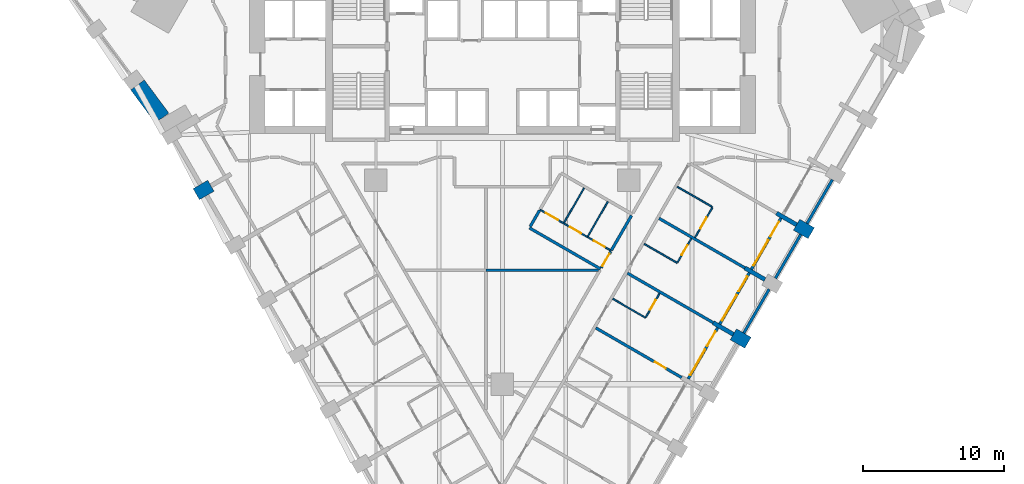
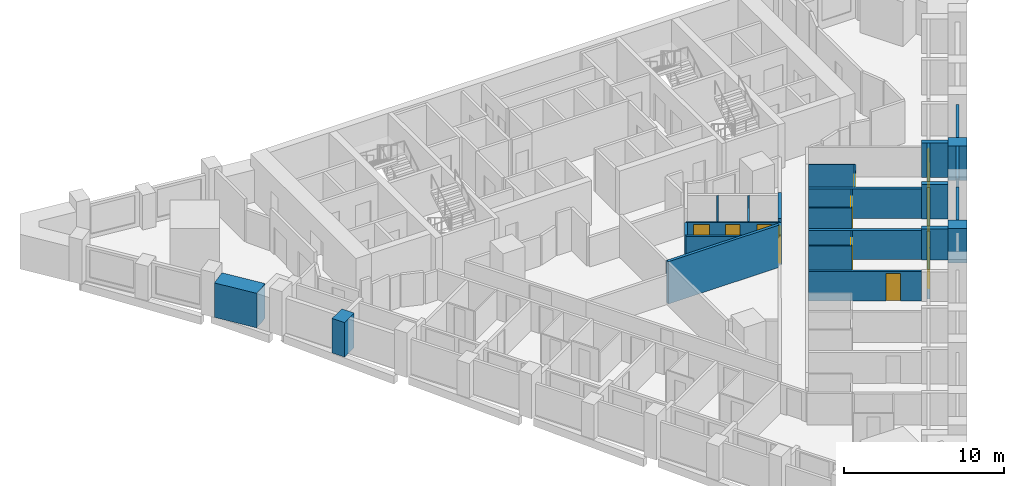
# One storey, part 6 of 12: 30 walls, 11 doors, 3 windows, 14 openings.
"""IFC4 building model written with IfcOpenShell, lengths in metres."""

import ifcopenshell
import ifcopenshell.guid

model = None  # the IFC model being written
_history = None  # IfcOwnerHistory: only IFC2X3 demands one
_inside = {}  # id of a spatial element -> (the spatial element, [elements in it])
_under = {}  # id of a project, library or spatial element -> (it, [spatial elements below it])
_declared = {}  # id of a project -> (the project, [libraries it declares])
_typed = {}  # id of a type object -> (the type object, [elements of that type])
_made_of = {}  # id of a material, layer set ... -> (it, [elements and type objects made of it])


def new_model(schema):
    """Start an empty IFC model of exactly this schema.

    Asked for "IFC4X3", IfcOpenShell would pick the latest addendum, in which some entities
    have other attributes; the version numbers below select the first issue.
    IFC2X3 requires an IfcOwnerHistory on every rooted entity: one is made here for all.
    """
    global model, _history
    if schema == "IFC4X3":
        model = ifcopenshell.file(schema_version=(4, 3, 0, 0))
    else:
        model = ifcopenshell.file(schema=schema)
    _inside.clear()
    _under.clear()
    _declared.clear()
    _typed.clear()
    _made_of.clear()
    _history = None
    if model.schema == "IFC2X3":
        org = make("IfcOrganization", Name="unknown")
        user = make(
            "IfcPersonAndOrganization",
            ThePerson=make("IfcPerson", FamilyName="unknown"),
            TheOrganization=org,
        )
        app = make(
            "IfcApplication",
            ApplicationDeveloper=org,
            Version="unknown",
            ApplicationFullName="unknown",
            ApplicationIdentifier="unknown",
        )
        _history = make(
            "IfcOwnerHistory",
            OwningUser=user,
            OwningApplication=app,
            ChangeAction="ADDED",
            CreationDate=0,
        )
    return model


def make(cls, **values):
    """One entity of the class cls with the attributes given. An attribute that is None is left unset."""
    return model.create_entity(
        cls, **{name: value for name, value in values.items() if value is not None}
    )


def rooted(cls, **values):
    """An entity with a GlobalId (a new one), such as an element, a storey or a relation."""
    return make(cls, GlobalId=ifcopenshell.guid.new(), OwnerHistory=_history, **values)


def si_unit(unit_type, name, prefix=None):
    """IfcSIUnit, for example si_unit("LENGTHUNIT", "METRE", prefix="MILLI")."""
    return make("IfcSIUnit", UnitType=unit_type, Prefix=prefix, Name=name)


def assignment(units):
    """IfcUnitAssignment: the units of a project."""
    return None if units is None else make("IfcUnitAssignment", Units=units)


def point(xyz):
    """IfcCartesianPoint."""
    return None if xyz is None else make("IfcCartesianPoint", Coordinates=xyz)


def direction(xyz):
    """IfcDirection."""
    return None if xyz is None else make("IfcDirection", DirectionRatios=xyz)


def frame(location, z_axis=None, x_axis=None):
    """IfcAxis2Placement3D, a coordinate frame: its origin and axes. An axis left out is left unset."""
    return make(
        "IfcAxis2Placement3D",
        Location=point(location),
        Axis=direction(z_axis),
        RefDirection=direction(x_axis),
    )


def frame_2d(location, x_axis=None):
    """IfcAxis2Placement2D, a coordinate frame in the plane: its origin and x axis."""
    return make(
        "IfcAxis2Placement2D", Location=point(location), RefDirection=direction(x_axis)
    )


def origin():
    """The frame at (0, 0, 0) with its axes left unset."""
    return frame((0.0, 0.0, 0.0))


def place(relative_to, where):
    """IfcLocalPlacement: puts the frame where relative to a parent placement (None: the world)."""
    return make(
        "IfcLocalPlacement", PlacementRelTo=relative_to, RelativePlacement=where
    )


def context(
    kind, dimensions, precision=None, world=None, true_north=None, identifier=None
):
    """IfcGeometricRepresentationContext, for example the 3D "Model" context."""
    return make(
        "IfcGeometricRepresentationContext",
        ContextIdentifier=identifier,
        ContextType=kind,
        CoordinateSpaceDimension=dimensions,
        Precision=precision,
        WorldCoordinateSystem=world,
        TrueNorth=true_north,
    )


def subcontext(parent, identifier, kind, view, scale=None):
    """IfcGeometricRepresentationSubContext, for example "Body" below "Model"."""
    return make(
        "IfcGeometricRepresentationSubContext",
        ContextIdentifier=identifier,
        ContextType=kind,
        ParentContext=parent,
        TargetScale=scale,
        TargetView=view,
    )


def project(units=None, contexts=None):
    """IfcProject with its units and contexts."""
    return rooted(
        "IfcProject",
        Name="project",
        RepresentationContexts=contexts,
        UnitsInContext=assignment(units),
    )


def spatial(cls, under=None, at=None, **own):
    """A site, building, storey or space (cls), placed at a placement, below another one or the project."""
    s = rooted(cls, ObjectPlacement=at, **own)
    if under is not None:
        _under.setdefault(under.id(), (under, []))[1].append(s)
    return s


def polyline(points):
    """IfcPolyline through the points."""
    return make("IfcPolyline", Points=[point(p) for p in points])


def profile(cls, at=None, kind="AREA", **sizes):
    """A parametric profile (cls). Its sizes go by their IFC names, for example OverallWidth=200.0."""
    return make(cls, ProfileType=kind, Position=at, **sizes)


def rectangle(**sizes):
    """IfcRectangleProfileDef."""
    return profile("IfcRectangleProfileDef", **sizes)


def outline(outer, holes=None, kind="AREA"):
    """IfcArbitraryClosedProfileDef: a profile drawn as a closed curve; with holes, ...WithVoids."""
    if holes is None:
        return make("IfcArbitraryClosedProfileDef", ProfileType=kind, OuterCurve=outer)
    return make(
        "IfcArbitraryProfileDefWithVoids",
        ProfileType=kind,
        OuterCurve=outer,
        InnerCurves=holes,
    )


def extrude(swept, where, along, depth):
    """IfcExtrudedAreaSolid: the profile swept, set in the frame where, extruded along a direction by depth."""
    return make(
        "IfcExtrudedAreaSolid",
        SweptArea=swept,
        Position=where,
        ExtrudedDirection=direction(along),
        Depth=depth,
    )


def shape(context_of_items, identifier, shape_type, items):
    """IfcShapeRepresentation: the items that make up one representation, for example the "Body"."""
    return make(
        "IfcShapeRepresentation",
        ContextOfItems=context_of_items,
        RepresentationIdentifier=identifier,
        RepresentationType=shape_type,
        Items=items,
    )


def material(Name=None, Category=None):
    """IfcMaterial."""
    return make("IfcMaterial", Name=Name, Category=Category)


def layer(
    of_material, thickness, ventilated=None, Name=None, Category=None, Priority=None
):
    """IfcMaterialLayer: one layer of a wall or slab, of a material (None: an air gap)."""
    return make(
        "IfcMaterialLayer",
        Material=of_material,
        LayerThickness=thickness,
        IsVentilated=ventilated,
        Name=Name,
        Category=Category,
        Priority=Priority,
    )


def layer_set(layers, Name=None):
    """IfcMaterialLayerSet."""
    return make("IfcMaterialLayerSet", MaterialLayers=layers, LayerSetName=Name)


def made_of(thing, what):
    """Note that an element or type object is made of a material, layer set ...; save() writes the relation."""
    if what is not None:
        _made_of.setdefault(what.id(), (what, []))[1].append(thing)
    return thing


def type_object(cls, material=None, **own):
    """A type object (cls), such as IfcWallType, which elements share."""
    return made_of(rooted(cls, **own), material)


def element(
    cls,
    number,
    at=None,
    inside=None,
    cuts=None,
    type_object=None,
    material=None,
    context=None,
    identifier="Body",
    shape_type=None,
    held_by="IfcProductDefinitionShape",
    body=None,
    shapes=None,
    **own,
):
    """One element of the class cls, such as IfcWall. Its Tag is "e" and its number.

    at: its placement. inside: the storey or other place that contains it. cuts: it is an
    opening in that element (IfcRelVoidsElement). A single representation is given by context,
    identifier, shape_type and body (its items); several are given by shapes. held_by: the class
    of the entity that holds the representations. save() writes the other relations.
    """
    e = rooted(cls, Tag="e%d" % number, ObjectPlacement=at, **own)
    if body is not None:
        shapes = [shape(context, identifier, shape_type, body)]
    if shapes is not None:
        e.Representation = make(held_by, Representations=shapes)
    if inside is not None:
        _inside.setdefault(inside.id(), (inside, []))[1].append(e)
    if cuts is not None:
        rooted(
            "IfcRelVoidsElement", RelatingBuildingElement=cuts, RelatedOpeningElement=e
        )
    if type_object is not None:
        _typed.setdefault(type_object.id(), (type_object, []))[1].append(e)
    return made_of(e, material)


def fill(opening, filler):
    """IfcRelFillsElement: the door or window that sits in an opening."""
    return rooted(
        "IfcRelFillsElement",
        RelatingOpeningElement=opening,
        RelatedBuildingElement=filler,
    )


def aggregate(whole, parts):
    """IfcRelAggregates: a whole, such as a stair, and the parts it consists of."""
    return rooted("IfcRelAggregates", RelatingObject=whole, RelatedObjects=parts)


def save(model, path):
    """Write the relations noted so far, then the file.

    IfcRelAggregates (storeys below a building ...), IfcRelContainedInSpatialStructure (elements
    in a storey), IfcRelDefinesByType, IfcRelAssociatesMaterial and IfcRelDeclares: one each for
    every whole, place, type object, material and project.
    """
    for whole, parts in _under.values():
        aggregate(whole, parts)
    for where, things in _inside.values():
        rooted(
            "IfcRelContainedInSpatialStructure",
            RelatedElements=things,
            RelatingStructure=where,
        )
    for kind, things in _typed.values():
        rooted("IfcRelDefinesByType", RelatedObjects=things, RelatingType=kind)
    for what, things in _made_of.values():
        rooted("IfcRelAssociatesMaterial", RelatedObjects=things, RelatingMaterial=what)
    for by, libraries in _declared.values():
        rooted("IfcRelDeclares", RelatingContext=by, RelatedDefinitions=libraries)
    model.write(path)


model = new_model("IFC4")

# Units and contexts
model_context = context("Model", 3, precision=1e-05, world=origin(), true_north=direction((0.0, 1.0)))
body_context = subcontext(model_context, "Body", "Model", "MODEL_VIEW")
ifc_project = project(units=[si_unit("LENGTHUNIT", "METRE"), si_unit("AREAUNIT", "SQUARE_METRE"), si_unit("VOLUMEUNIT", "CUBIC_METRE"), si_unit("PLANEANGLEUNIT", "RADIAN"), si_unit("MASSUNIT", "GRAM", prefix="KILO")], contexts=[model_context])

# Site, building, storey
site_placement = place(None, origin())
site = spatial("IfcSite", under=ifc_project, at=site_placement, CompositionType="ELEMENT")
building_placement = place(site_placement, origin())
building = spatial("IfcBuilding", under=site, at=building_placement, Name="Calabash Gate Tower", CompositionType="ELEMENT")
storey_placement = place(building_placement, frame((0.0, 0.0, 83.39990234375)))
storey = spatial("IfcBuildingStorey", under=building, at=storey_placement, Name="L17", CompositionType="ELEMENT", Elevation=83.39990234375)

# Walls
ifc_material_1 = material(Name="Terracotta brick masonry, exposed face", Category="masonry")
ifc_layer_1 = layer(ifc_material_1, 1.199951171875)
ifc_layer_set_1 = layer_set([ifc_layer_1], Name="Brick end wall 1200")
wall_type_1 = type_object("IfcWallType", Name="Brick end wall 1200", PredefinedType="SOLIDWALL", material=ifc_layer_set_1)
for number, where, z_axis, x_axis, name in (
    (1, (-21.77880859375, 1.51708984375, 0.0), (0.0, 0.0, 1.0), (0.866094119867, 0.499880961361, 0.0), "Brick pier S04 SW0.1"),
    (2, (17.467041015625, -9.05126953125, 0.0), (0.0, 0.0, 1.0), (-0.865955154139, 0.50012165622, 0.0), "Brick pier S04 SE2.5"),
    (3, (20.927978515625, -0.656982421875, 0.0), (0.0, 0.0, 1.0), (0.865955154139, -0.50012165622, 0.0), "Brick pier S04 SE2.7"),
):
    element("IfcWall", number, at=place(storey_placement, frame(where, z_axis=z_axis, x_axis=x_axis)), inside=storey, type_object=wall_type_1, Name=name, PredefinedType="SOLIDWALL", context=body_context, shape_type="SweptSolid", body=[
        extrude(rectangle(XDim=1.199951171875, YDim=0.89990234375, at=frame_2d((0.60009765625, 0.0))), origin(), (0.0, 0.0, 1.0), 2.630126953125),
    ])
wall_1_placement = place(storey_placement, origin())
element("IfcWall", 4, at=wall_1_placement, inside=storey, type_object=wall_type_1, Name="Brick end wall S04 3", PredefinedType="SOLIDWALL", context=body_context, shape_type="SweptSolid", body=[
    extrude(outline(polyline([(-23.72802734375, 7.285400390625), (-25.4775390625, 9.64697265625), (-25.47802734375, 9.646728515625), (-25.47802734375, 9.646484375), (-26.441650390625, 8.9326171875), (-24.712646484375, 6.5986328125), (-24.729736328125, 6.628173828125), (-24.2099609375, 6.92822265625), (-23.72802734375, 7.285400390625)])), origin(), (0.0, 0.0, 1.0), 2.630126953125),
])
ifc_material_2 = material(Name="Terracotta brick masonry, exposed face", Category="masonry")
ifc_layer_2 = layer(ifc_material_2, 0.300048828125)
ifc_layer_set_2 = layer_set([ifc_layer_2], Name="Brick loggia cheek wall 300")
wall_type_2 = type_object("IfcWallType", Name="Brick loggia cheek wall 300", PredefinedType="SOLIDWALL", material=ifc_layer_set_2)
wall_2_placement = place(storey_placement, frame((16.427978515625, -8.451171875, 0.0), z_axis=(0.0, 0.0, 1.0), x_axis=(-0.866040211805, 0.499974350878, 0.0)))
element("IfcWall", 5, at=wall_2_placement, inside=storey, type_object=wall_type_2, Name="Loggia cheek S04 SE2.5", PredefinedType="SOLIDWALL", context=body_context, shape_type="SweptSolid", body=[
    extrude(rectangle(XDim=1.64990234375, YDim=0.300048828125, at=frame_2d((0.824951171875, 0.0))), origin(), (0.0, 0.0, 1.0), 2.38427734375),
])
wall_3_placement = place(storey_placement, frame((18.677490234375, -4.553955078125, 0.0), z_axis=(0.0, 0.0, 1.0), x_axis=(-0.865966208357, 0.500102515474, 0.0)))
element("IfcWall", 6, at=wall_3_placement, inside=storey, type_object=wall_type_2, Name="Loggia cheek S04 SE2.6", PredefinedType="SOLIDWALL", context=body_context, shape_type="SweptSolid", body=[
    extrude(rectangle(XDim=1.649658203125, YDim=0.300048828125, at=frame_2d((0.82470703125, 0.0))), origin(), (0.0, 0.0, 1.0), 2.628173828125),
])
wall_4_placement = place(storey_placement, frame((19.4990234375, 0.16796875, 0.0), z_axis=(0.0, 0.0, 1.0), x_axis=(0.866040211805, -0.499974350878, 0.0)))
element("IfcWall", 7, at=wall_4_placement, inside=storey, type_object=wall_type_2, Name="Loggia cheek S04 SE2.7", PredefinedType="SOLIDWALL", context=body_context, shape_type="SweptSolid", body=[
    extrude(rectangle(XDim=1.64990234375, YDim=0.300048828125, at=frame_2d((0.824951171875, 0.0))), origin(), (0.0, 0.0, 1.0), 2.650146484375),
])

# Wall, opening, door
ifc_material_3 = material(Name="Gypsum board on steel studs, mineral wool", Category="steel")
ifc_layer_3 = layer(ifc_material_3, 0.10009765625)
ifc_layer_set_3 = layer_set([ifc_layer_3], Name="Partition 100 gypsum board")
wall_type_3 = type_object("IfcWallType", Name="Partition 100 gypsum board", PredefinedType="PARTITIONING", material=ifc_layer_set_3)
wall_5_placement = place(storey_placement, frame((10.206787109375, -7.2265625, 0.0), z_axis=(0.0, 0.0, 1.0), x_axis=(0.49995005938, 0.866054235095, 0.0)))
wall_5 = element("IfcWall", 8, at=wall_5_placement, inside=storey, type_object=wall_type_3, Name="Partition", PredefinedType="PARTITIONING", context=body_context, shape_type="SweptSolid", body=[
    extrude(rectangle(XDim=1.949951171875, YDim=0.10009765625, at=frame_2d((0.97509765625, 0.0))), origin(), (0.0, 0.0, 1.0), 2.24169921875),
])
opening_1_placement = place(wall_5_placement, frame((0.60009765625, 0.0, 0.0)))
opening_1 = element("IfcOpeningElement", 9, at=opening_1_placement, cuts=wall_5, Name="Opening 15-17-021", PredefinedType="OPENING", context=body_context, shape_type="SweptSolid", body=[
    extrude(rectangle(XDim=0.800048828125, YDim=2.10009765625, at=frame_2d((0.39990234375, 1.050048828125))), frame((0.0, 0.06005859375, 0.0), z_axis=(0.0, -1.0, 0.0), x_axis=(1.0, 0.0, 0.0)), (0.0, 0.0, 1.0), 0.1201171875),
])
ifc_material_4 = material(Name="Painted timber door", Category="wood")
door_type_1 = type_object("IfcDoorType", Name="GD5 En-suite door 800x2100", OperationType="NOTDEFINED", PredefinedType="DOOR", material=ifc_material_4)
door_1_placement = place(opening_1_placement, origin())
door_1 = element("IfcDoor", 10, at=door_1_placement, inside=storey, type_object=door_type_1, Name="En-suite door", OperationType="SINGLE_SWING_RIGHT", OverallHeight=2.10009765625, OverallWidth=0.800048828125, PredefinedType="DOOR", context=body_context, shape_type="SweptSolid", body=[
    extrude(rectangle(XDim=0.800048828125, YDim=2.10009765625, at=frame_2d((0.39990234375, 1.050048828125))), frame((0.0, 0.02490234375, 0.0), z_axis=(0.0, -1.0, 0.0), x_axis=(1.0, 0.0, 0.0)), (0.0, 0.0, 1.0), 0.050048828125),
])
fill(opening_1, door_1)

# Wall
wall_6_placement = place(storey_placement, frame((7.844482421875, -5.91845703125, 0.0), z_axis=(0.0, 0.0, 1.0), x_axis=(0.865671764241, -0.500612022024, 0.0)))
element("IfcWall", 11, at=wall_6_placement, inside=storey, type_object=wall_type_3, Name="Partition", PredefinedType="PARTITIONING", context=body_context, shape_type="SweptSolid", body=[
    extrude(rectangle(XDim=2.69970703125, YDim=0.10009765625, at=frame_2d((1.349853515625, 0.0))), origin(), (0.0, 0.0, 1.0), 2.4736328125),
])

# Wall, opening, door
wall_7_placement = place(storey_placement, frame((12.456787109375, -3.32958984375, 0.0), z_axis=(0.0, 0.0, 1.0), x_axis=(0.49989585183, 0.866085525409, 0.0)))
wall_7 = element("IfcWall", 12, at=wall_7_placement, inside=storey, type_object=wall_type_3, Name="Partition", PredefinedType="PARTITIONING", context=body_context, shape_type="SweptSolid", body=[
    extrude(rectangle(XDim=1.9501953125, YDim=0.10009765625, at=frame_2d((0.97509765625, 0.0))), origin(), (0.0, 0.0, 1.0), 2.24169921875),
])
opening_2_placement = place(wall_7_placement, frame((0.60009765625, 0.0, 0.0)))
opening_2 = element("IfcOpeningElement", 13, at=opening_2_placement, cuts=wall_7, Name="Opening 15-17-024", PredefinedType="OPENING", context=body_context, shape_type="SweptSolid", body=[
    extrude(rectangle(XDim=0.800048828125, YDim=2.10009765625, at=frame_2d((0.39990234375, 1.050048828125))), frame((0.0, 0.06005859375, 0.0), z_axis=(0.0, -1.0, 0.0), x_axis=(1.0, 0.0, 0.0)), (0.0, 0.0, 1.0), 0.1201171875),
])
door_2_placement = place(opening_2_placement, origin())
door_2 = element("IfcDoor", 14, at=door_2_placement, inside=storey, type_object=door_type_1, Name="En-suite door", OperationType="SINGLE_SWING_RIGHT", OverallHeight=2.10009765625, OverallWidth=0.800048828125, PredefinedType="DOOR", context=body_context, shape_type="SweptSolid", body=[
    extrude(rectangle(XDim=0.800048828125, YDim=2.10009765625, at=frame_2d((0.39990234375, 1.050048828125))), frame((0.0, 0.02490234375, 0.0), z_axis=(0.0, -1.0, 0.0), x_axis=(1.0, 0.0, 0.0)), (0.0, 0.0, 1.0), 0.050048828125),
])
fill(opening_2, door_2)

# Wall
wall_8_placement = place(storey_placement, frame((10.094482421875, -2.021484375, 0.0), z_axis=(0.0, 0.0, 1.0), x_axis=(0.86571095196, -0.500544251447, 0.0)))
element("IfcWall", 15, at=wall_8_placement, inside=storey, type_object=wall_type_3, Name="Partition", PredefinedType="PARTITIONING", context=body_context, shape_type="SweptSolid", body=[
    extrude(rectangle(XDim=2.69970703125, YDim=0.10009765625, at=frame_2d((1.349853515625, 0.0))), origin(), (0.0, 0.0, 1.0), 2.24169921875),
])

# Wall, opening, door
wall_9_placement = place(storey_placement, frame((13.70361328125, -1.56640625, 0.0), z_axis=(0.0, 0.0, 1.0), x_axis=(0.500607988505, 0.865674096785, 0.0)))
wall_9 = element("IfcWall", 16, at=wall_9_placement, inside=storey, type_object=wall_type_3, Name="Partition", PredefinedType="PARTITIONING", context=body_context, shape_type="SweptSolid", body=[
    extrude(rectangle(XDim=2.44970703125, YDim=0.10009765625, at=frame_2d((1.224853515625, 0.0))), origin(), (0.0, 0.0, 1.0), 2.24169921875),
])
opening_3_placement = place(wall_9_placement, frame((0.749755859375, 0.0, 0.0)))
opening_3 = element("IfcOpeningElement", 17, at=opening_3_placement, cuts=wall_9, Name="Opening 15-17-026", PredefinedType="OPENING", context=body_context, shape_type="SweptSolid", body=[
    extrude(rectangle(XDim=0.89990234375, YDim=2.10009765625, at=frame_2d((0.449951171875, 1.050048828125))), frame((0.0, 0.06005859375, 0.0), z_axis=(0.0, -1.0, 0.0), x_axis=(1.0, 0.0, 0.0)), (0.0, 0.0, 1.0), 0.1201171875),
])
ifc_material_5 = material(Name="Painted timber door", Category="wood")
door_type_2 = type_object("IfcDoorType", Name="GD6 Accessible en-suite door 900x2100", OperationType="NOTDEFINED", PredefinedType="DOOR", material=ifc_material_5)
door_3_placement = place(opening_3_placement, origin())
door_3 = element("IfcDoor", 18, at=door_3_placement, inside=storey, type_object=door_type_2, Name="Accessible en-suite door", OperationType="SINGLE_SWING_RIGHT", OverallHeight=2.10009765625, OverallWidth=0.89990234375, PredefinedType="DOOR", context=body_context, shape_type="SweptSolid", body=[
    extrude(rectangle(XDim=0.89990234375, YDim=2.10009765625, at=frame_2d((0.449951171875, 1.050048828125))), frame((0.0, 0.02490234375, 0.0), z_axis=(0.0, -1.0, 0.0), x_axis=(1.0, 0.0, 0.0)), (0.0, 0.0, 1.0), 0.050048828125),
])
fill(opening_3, door_3)

# Walls
for number, where, z_axis, x_axis, name in (
    (19, (6.071044921875, -1.48583984375, 0.0), (0.0, 0.0, 1.0), (0.500536077286, 0.865715678115, 0.0), "Partition"),
    (20, (4.38232421875, -0.5107421875, 0.0), (0.0, 0.0, 1.0), (0.500536077286, 0.865715678115, 0.0), "Partition"),
):
    element("IfcWall", number, at=place(storey_placement, frame(where, z_axis=z_axis, x_axis=x_axis)), inside=storey, type_object=wall_type_3, Name=name, PredefinedType="PARTITIONING", context=body_context, shape_type="SweptSolid", body=[
        extrude(rectangle(XDim=2.847900390625, YDim=0.10009765625, at=frame_2d((1.423828125, 0.0))), origin(), (0.0, 0.0, 1.0), 2.24169921875),
    ])

# Wall, openings, doors
wall_10_placement = place(storey_placement, frame((2.67041015625, 0.419921875, 0.0), z_axis=(0.0, 0.0, 1.0), x_axis=(0.866025730634, -0.499999433879, 0.0)))
wall_10 = element("IfcWall", 21, at=wall_10_placement, inside=storey, type_object=wall_type_3, Name="Partition", PredefinedType="PARTITIONING", context=body_context, shape_type="SweptSolid", body=[
    extrude(rectangle(XDim=5.849609375, YDim=0.10009765625, at=frame_2d((2.9248046875, 0.0))), origin(), (0.0, 0.0, 1.0), 2.24169921875),
])
opening_4_placement = place(wall_10_placement, frame((4.4248046875, 0.0, 0.0)))
opening_4 = element("IfcOpeningElement", 22, at=opening_4_placement, cuts=wall_10, Name="Opening 15-17-033", PredefinedType="OPENING", context=body_context, shape_type="SweptSolid", body=[
    extrude(rectangle(XDim=0.89990234375, YDim=2.10009765625, at=frame_2d((0.449951171875, 1.050048828125))), frame((0.0, 0.06005859375, 0.0), z_axis=(0.0, -1.0, 0.0), x_axis=(1.0, 0.0, 0.0)), (0.0, 0.0, 1.0), 0.1201171875),
])
opening_5_placement = place(wall_10_placement, frame((2.474853515625, 0.0, 0.0)))
opening_5 = element("IfcOpeningElement", 23, at=opening_5_placement, cuts=wall_10, Name="Opening 15-17-034", PredefinedType="OPENING", context=body_context, shape_type="SweptSolid", body=[
    extrude(rectangle(XDim=0.89990234375, YDim=2.10009765625, at=frame_2d((0.449951171875, 1.050048828125))), frame((0.0, 0.06005859375, 0.0), z_axis=(0.0, -1.0, 0.0), x_axis=(1.0, 0.0, 0.0)), (0.0, 0.0, 1.0), 0.1201171875),
])
opening_6_placement = place(wall_10_placement, frame((0.474853515625, 0.0, 0.0)))
opening_6 = element("IfcOpeningElement", 24, at=opening_6_placement, cuts=wall_10, Name="Opening 15-17-035", PredefinedType="OPENING", context=body_context, shape_type="SweptSolid", body=[
    extrude(rectangle(XDim=1.0, YDim=2.10009765625, at=frame_2d((0.5, 1.050048828125))), frame((0.0, 0.06005859375, 0.0), z_axis=(0.0, -1.0, 0.0), x_axis=(1.0, 0.0, 0.0)), (0.0, 0.0, 1.0), 0.1201171875),
])
ifc_material_6 = material(Name="Painted timber door", Category="wood")
door_type_3 = type_object("IfcDoorType", Name="WD1 WC door 900x2100", OperationType="NOTDEFINED", PredefinedType="DOOR", material=ifc_material_6)
door_4_placement = place(opening_4_placement, origin())
door_4 = element("IfcDoor", 25, at=door_4_placement, inside=storey, type_object=door_type_3, Name="WC door", OperationType="SINGLE_SWING_RIGHT", OverallHeight=2.10009765625, OverallWidth=0.89990234375, PredefinedType="DOOR", context=body_context, shape_type="SweptSolid", body=[
    extrude(rectangle(XDim=0.89990234375, YDim=2.10009765625, at=frame_2d((0.449951171875, 1.050048828125))), frame((0.0, 0.02490234375, 0.0), z_axis=(0.0, -1.0, 0.0), x_axis=(1.0, 0.0, 0.0)), (0.0, 0.0, 1.0), 0.050048828125),
])
fill(opening_4, door_4)
door_5_placement = place(opening_5_placement, origin())
door_5 = element("IfcDoor", 26, at=door_5_placement, inside=storey, type_object=door_type_3, Name="WC door", OperationType="SINGLE_SWING_LEFT", OverallHeight=2.10009765625, OverallWidth=0.89990234375, PredefinedType="DOOR", context=body_context, shape_type="SweptSolid", body=[
    extrude(rectangle(XDim=0.89990234375, YDim=2.10009765625, at=frame_2d((0.449951171875, 1.050048828125))), frame((0.0, 0.02490234375, 0.0), z_axis=(0.0, -1.0, 0.0), x_axis=(1.0, 0.0, 0.0)), (0.0, 0.0, 1.0), 0.050048828125),
])
fill(opening_5, door_5)
ifc_material_7 = material(Name="Painted timber door", Category="wood")
door_type_4 = type_object("IfcDoorType", Name="WD2 Accessible WC door 1000x2100", OperationType="NOTDEFINED", PredefinedType="DOOR", material=ifc_material_7)
door_6_placement = place(opening_6_placement, origin())
door_6 = element("IfcDoor", 27, at=door_6_placement, inside=storey, type_object=door_type_4, Name="Accessible WC door", OperationType="SINGLE_SWING_LEFT", OverallHeight=2.10009765625, OverallWidth=1.0, PredefinedType="DOOR", context=body_context, shape_type="SweptSolid", body=[
    extrude(rectangle(XDim=1.0, YDim=2.10009765625, at=frame_2d((0.5, 1.050048828125))), frame((0.0, 0.02490234375, 0.0), z_axis=(0.0, -1.0, 0.0), x_axis=(1.0, 0.0, 0.0)), (0.0, 0.0, 1.0), 0.050048828125),
])
fill(opening_6, door_6)

# Wall
wall_11_placement = place(storey_placement, frame((12.44287109375, 2.0458984375, 0.0), z_axis=(0.0, 0.0, 1.0), x_axis=(0.866329932158, -0.499472170042, 0.0)))
element("IfcWall", 28, at=wall_11_placement, inside=storey, type_object=wall_type_3, Name="Partition", PredefinedType="PARTITIONING", context=body_context, shape_type="SweptSolid", body=[
    extrude(rectangle(XDim=2.899658203125, YDim=0.10009765625, at=frame_2d((1.44970703125, 0.0))), origin(), (0.0, 0.0, 1.0), 2.24169921875),
])

# Wall, opening, door
ifc_material_8 = material(Name="Gypsum board on steel studs, mineral wool", Category="steel")
ifc_layer_4 = layer(ifc_material_8, 0.199951171875)
ifc_layer_set_4 = layer_set([ifc_layer_4], Name="Partition 200 gypsum board EI 60")
wall_type_4 = type_object("IfcWallType", Name="Partition 200 gypsum board EI 60", PredefinedType="PARTITIONING", material=ifc_layer_set_4)
wall_12_placement = place(storey_placement, frame((6.64453125, -7.99658203125, 0.0), z_axis=(0.0, 0.0, 1.0), x_axis=(0.865891406831, -0.500232017744, 0.0)))
wall_12 = element("IfcWall", 29, at=wall_12_placement, inside=storey, type_object=wall_type_4, Name="Partition", PredefinedType="PARTITIONING", context=body_context, shape_type="SweptSolid", body=[
    extrude(rectangle(XDim=7.050048828125, YDim=0.199951171875, at=frame_2d((3.52490234375, 0.0))), origin(), (0.0, 0.0, 1.0), 2.24169921875),
])
opening_7_placement = place(wall_12_placement, frame((4.849853515625, 0.0, 0.0)))
opening_7 = element("IfcOpeningElement", 30, at=opening_7_placement, cuts=wall_12, Name="Opening 15-17-022", PredefinedType="OPENING", context=body_context, shape_type="SweptSolid", body=[
    extrude(rectangle(XDim=0.89990234375, YDim=2.10009765625, at=frame_2d((0.449951171875, 1.050048828125))), frame((0.0, 0.10986328125, 0.0), z_axis=(0.0, -1.0, 0.0), x_axis=(1.0, 0.0, 0.0)), (0.0, 0.0, 1.0), 0.219970703125),
])
ifc_material_9 = material(Name="Steel fire door set with fire-resisting glazing", Category="steel")
door_type_5 = type_object("IfcDoorType", Name="GD4 Connecting door 900x2100", OperationType="NOTDEFINED", PredefinedType="DOOR", material=ifc_material_9)
door_7_placement = place(opening_7_placement, origin())
door_7 = element("IfcDoor", 31, at=door_7_placement, inside=storey, type_object=door_type_5, Name="Connecting door", OperationType="SINGLE_SWING_RIGHT", OverallHeight=2.10009765625, OverallWidth=0.89990234375, PredefinedType="DOOR", context=body_context, shape_type="SweptSolid", body=[
    extrude(rectangle(XDim=0.89990234375, YDim=2.10009765625, at=frame_2d((0.449951171875, 1.050048828125))), frame((0.0, 0.02490234375, 0.0), z_axis=(0.0, -1.0, 0.0), x_axis=(1.0, 0.0, 0.0)), (0.0, 0.0, 1.0), 0.050048828125),
])
fill(opening_7, door_7)

# Walls
wall_13_placement = place(storey_placement, frame((8.89453125, -4.099609375, 0.0), z_axis=(0.0, 0.0, 1.0), x_axis=(0.865906406618, -0.500206052519, 0.0)))
element("IfcWall", 32, at=wall_13_placement, inside=storey, type_object=wall_type_4, Name="Partition", PredefinedType="PARTITIONING", context=body_context, shape_type="SweptSolid", body=[
    extrude(rectangle(XDim=7.0498046875, YDim=0.199951171875, at=frame_2d((3.52490234375, 0.0))), origin(), (0.0, 0.0, 1.0), 2.24169921875),
])
wall_14_placement = place(storey_placement, frame((-1.16162109375, -3.892578125, 0.0), z_axis=(0.0, 0.0, 1.0), x_axis=(0.999999970181, 0.000244207691, 0.0)))
element("IfcWall", 33, at=wall_14_placement, inside=storey, type_object=wall_type_4, Name="Partition", PredefinedType="PARTITIONING", context=body_context, shape_type="SweptSolid", body=[
    extrude(rectangle(XDim=7.997802734375, YDim=0.199951171875, at=frame_2d((3.9990234375, 0.0))), origin(), (0.0, 0.0, 1.0), 3.22998046875),
])

# Wall, opening, door
wall_15_placement = place(storey_placement, frame((7.03466796875, -3.716796875, 0.0), z_axis=(0.0, 0.0, 1.0), x_axis=(0.50106482324, 0.865409754342, 0.0)))
wall_15 = element("IfcWall", 34, at=wall_15_placement, inside=storey, type_object=wall_type_4, Name="Partition", PredefinedType="PARTITIONING", context=body_context, shape_type="SweptSolid", body=[
    extrude(rectangle(XDim=1.34814453125, YDim=0.199951171875, at=frame_2d((0.674072265625, 0.0))), origin(), (0.0, 0.0, 1.0), 2.24169921875),
])
opening_8_placement = place(wall_15_placement, frame((0.148193359375, 0.0, 0.0)))
opening_8 = element("IfcOpeningElement", 35, at=opening_8_placement, cuts=wall_15, Name="Opening 15-17-032", PredefinedType="OPENING", context=body_context, shape_type="SweptSolid", body=[
    extrude(rectangle(XDim=1.0, YDim=2.10009765625, at=frame_2d((0.5, 1.050048828125))), frame((0.0, 0.10986328125, 0.0), z_axis=(0.0, -1.0, 0.0), x_axis=(1.0, 0.0, 0.0)), (0.0, 0.0, 1.0), 0.219970703125),
])
ifc_material_10 = material(Name="Steel fire door set with fire-resisting glazing", Category="steel")
door_type_6 = type_object("IfcDoorType", Name="WD3 WC lobby door 1000x2100", OperationType="NOTDEFINED", PredefinedType="DOOR", material=ifc_material_10)
door_8_placement = place(opening_8_placement, origin())
door_8 = element("IfcDoor", 36, at=door_8_placement, inside=storey, type_object=door_type_6, Name="WC lobby door", OperationType="SINGLE_SWING_LEFT", OverallHeight=2.10009765625, OverallWidth=1.0, PredefinedType="DOOR", context=body_context, shape_type="SweptSolid", body=[
    extrude(rectangle(XDim=1.0, YDim=2.10009765625, at=frame_2d((0.5, 1.050048828125))), frame((0.0, 0.02490234375, 0.0), z_axis=(0.0, -1.0, 0.0), x_axis=(1.0, 0.0, 0.0)), (0.0, 0.0, 1.0), 0.050048828125),
])
fill(opening_8, door_8)

# Walls
wall_16_placement = place(storey_placement, frame((7.7587890625, -2.46240234375, 0.0), z_axis=(0.0, 0.0, 1.0), x_axis=(0.500533044877, 0.865717431375, 0.0)))
element("IfcWall", 37, at=wall_16_placement, inside=storey, type_object=wall_type_4, Name="Partition", PredefinedType="PARTITIONING", context=body_context, shape_type="SweptSolid", body=[
    extrude(rectangle(XDim=2.85009765625, YDim=0.199951171875, at=frame_2d((1.425048828125, 0.0))), origin(), (0.0, 0.0, 1.0), 2.4736328125),
])
wall_17_placement = place(storey_placement, frame((1.919189453125, -0.880859375, 0.0), z_axis=(0.0, 0.0, 1.0), x_axis=(0.866167515178, -0.499753775024, 0.0)))
element("IfcWall", 38, at=wall_17_placement, inside=storey, type_object=wall_type_4, Name="Partition", PredefinedType="PARTITIONING", context=body_context, shape_type="SweptSolid", body=[
    extrude(rectangle(XDim=5.84814453125, YDim=0.199951171875, at=frame_2d((2.924072265625, 0.0))), origin(), (0.0, 0.0, 1.0), 2.24169921875),
])
wall_18_placement = place(storey_placement, frame((11.14453125, -0.202392578125, 0.0), z_axis=(0.0, 0.0, 1.0), x_axis=(0.866031034943, -0.499990246421, 0.0)))
element("IfcWall", 39, at=wall_18_placement, inside=storey, type_object=wall_type_4, Name="Partition", PredefinedType="PARTITIONING", context=body_context, shape_type="SweptSolid", body=[
    extrude(rectangle(XDim=7.050048828125, YDim=0.199951171875, at=frame_2d((3.52490234375, 0.0))), origin(), (0.0, 0.0, 1.0), 2.24169921875),
])
wall_19_placement = place(storey_placement, frame((1.969482421875, -0.794189453125, 0.0), z_axis=(0.0, 0.0, 1.0), x_axis=(0.501000622125, 0.865446923058, 0.0)))
element("IfcWall", 40, at=wall_19_placement, inside=storey, type_object=wall_type_4, Name="Partition", PredefinedType="PARTITIONING", context=body_context, shape_type="SweptSolid", body=[
    extrude(rectangle(XDim=1.349853515625, YDim=0.199951171875, at=frame_2d((0.6748046875, 0.0))), origin(), (0.0, 0.0, 1.0), 2.24169921875),
])
ifc_material_11 = material(Name="Terracotta brick masonry, perforated", Category="masonry")
ifc_layer_5 = layer(ifc_material_11, 0.199951171875)
ifc_layer_set_5 = layer_set([ifc_layer_5], Name="Terracotta jaali screen B")
wall_type_5 = type_object("IfcWallType", Name="Terracotta jaali screen B", PredefinedType="SOLIDWALL", material=ifc_layer_set_5)
for number, where, z_axis, x_axis, name in (
    (41, (17.17236328125, -8.361572265625, 0.0), (0.0, 0.0, 1.0), (0.500012057535, 0.866018442252, 0.0), "SCREEN B S04 SE2.6"),
    (42, (19.42236328125, -4.46435546875, 0.0), (0.0, 0.0, 1.0), (0.500012057535, 0.866018442252, 0.0), "SCREEN B S04 SE2.7"),
):
    element("IfcWall", number, at=place(storey_placement, frame(where, z_axis=z_axis, x_axis=x_axis)), inside=storey, type_object=wall_type_5, Name=name, PredefinedType="SOLIDWALL", context=body_context, shape_type="SweptSolid", body=[
        extrude(rectangle(XDim=3.60009765625, YDim=0.199951171875, at=frame_2d((1.800048828125, 0.0))), origin(), (0.0, 0.0, 1.0), 2.630126953125),
    ])
wall_20_placement = place(storey_placement, frame((21.67236328125, -0.5673828125, 0.0), z_axis=(0.0, 0.0, 1.0), x_axis=(0.499982693035, 0.866035395735, 0.0)))
element("IfcWall", 43, at=wall_20_placement, inside=storey, type_object=wall_type_5, Name="SCREEN B S04 SE2.8", PredefinedType="SOLIDWALL", context=body_context, shape_type="SweptSolid", body=[
    extrude(rectangle(XDim=3.600341796875, YDim=0.199951171875, at=frame_2d((1.80029296875, 0.0))), origin(), (0.0, 0.0, 1.0), 2.630126953125),
])

# Wall, openings, door, window
ifc_material_12 = material(Name="Aluminium framed window wall with insulated spandrel", Category="aluminium")
ifc_layer_6 = layer(ifc_material_12, 0.199951171875)
ifc_layer_set_6 = layer_set([ifc_layer_6], Name="Window wall 200")
wall_type_6 = type_object("IfcWallType", Name="Window wall 200", PredefinedType="ELEMENTEDWALL", material=ifc_layer_set_6)
wall_21_placement = place(storey_placement, frame((13.213623046875, -11.618408203125, 0.0), z_axis=(0.0, 0.0, 1.0), x_axis=(0.500027713859, 0.866009402589, 0.0)))
wall_21 = element("IfcWall", 44, at=wall_21_placement, inside=storey, type_object=wall_type_6, Name="Window wall S04 SE2.5", PredefinedType="ELEMENTEDWALL", context=body_context, shape_type="SweptSolid", body=[
    extrude(rectangle(XDim=4.199951171875, YDim=0.199951171875, at=frame_2d((2.10009765625, 0.0))), origin(), (0.0, 0.0, 1.0), 2.24169921875),
])
opening_9_placement = place(wall_21_placement, frame((0.300048828125, 0.0, 0.60009765625)))
opening_9 = element("IfcOpeningElement", 45, at=opening_9_placement, cuts=wall_21, Name="Opening HW1L-1540", PredefinedType="OPENING", context=body_context, shape_type="SweptSolid", body=[
    extrude(rectangle(XDim=2.10009765625, YDim=1.5400390625, at=frame_2d((1.050048828125, 0.77001953125))), frame((0.0, 0.10986328125, 0.0), z_axis=(0.0, -1.0, 0.0), x_axis=(1.0, 0.0, 0.0)), (0.0, 0.0, 1.0), 0.219970703125),
])
opening_10_placement = place(wall_21_placement, frame((2.699951171875, 0.0, 0.0)))
opening_10 = element("IfcOpeningElement", 46, at=opening_10_placement, cuts=wall_21, Name="Opening H4-022", PredefinedType="OPENING", context=body_context, shape_type="SweptSolid", body=[
    extrude(rectangle(XDim=1.199951171875, YDim=2.139892578125, at=frame_2d((0.60009765625, 1.06982421875))), frame((0.0, 0.10986328125, 0.0), z_axis=(0.0, -1.0, 0.0), x_axis=(1.0, 0.0, 0.0)), (0.0, 0.0, 1.0), 0.219970703125),
])
ifc_material_13 = material(Name="Anodised aluminium frame, bronze finish, impact-rated laminated clear glazing", Category="aluminium")
door_type_7 = type_object("IfcDoorType", Name="Loggia door DH1L-2140 1200x2140", OperationType="SLIDING_TO_LEFT", PredefinedType="DOOR", material=ifc_material_13)
door_9_placement = place(opening_10_placement, origin())
door_9 = element("IfcDoor", 47, at=door_9_placement, inside=storey, type_object=door_type_7, Name="Loggia door S04 SE2.5", OperationType="SINGLE_SWING_LEFT", OverallHeight=2.139892578125, OverallWidth=1.199951171875, PredefinedType="DOOR", context=body_context, shape_type="SweptSolid", body=[
    extrude(rectangle(XDim=1.199951171875, YDim=2.139892578125, at=frame_2d((0.60009765625, 1.06982421875))), frame((0.0, 0.02490234375, 0.0), z_axis=(0.0, -1.0, 0.0), x_axis=(1.0, 0.0, 0.0)), (0.0, 0.0, 1.0), 0.050048828125),
])
fill(opening_10, door_9)
ifc_material_14 = material(Name="Anodised aluminium frame, bronze finish, impact-rated laminated clear glazing", Category="aluminium")
window_type_1 = type_object("IfcWindowType", Name="Window HW1L 2100x1540", PartitioningType="DOUBLE_PANEL_VERTICAL", PredefinedType="WINDOW", material=ifc_material_14)
window_1_placement = place(opening_9_placement, origin())
window_1 = element("IfcWindow", 48, at=window_1_placement, inside=storey, type_object=window_type_1, Name="Window HW1 S04 SE2.5", OverallHeight=1.5400390625, OverallWidth=2.10009765625, PartitioningType="SINGLE_PANEL", PredefinedType="WINDOW", context=body_context, shape_type="SweptSolid", body=[
    extrude(rectangle(XDim=2.10009765625, YDim=1.5400390625, at=frame_2d((1.050048828125, 0.77001953125))), frame((0.0, 0.030029296875, 0.0), z_axis=(0.0, -1.0, 0.0), x_axis=(1.0, 0.0, 0.0)), (0.0, 0.0, 1.0), 0.06005859375),
])
fill(opening_9, window_1)

wall_22_placement = place(storey_placement, frame((15.463623046875, -7.72119140625, 0.0), z_axis=(0.0, 0.0, 1.0), x_axis=(0.500027713859, 0.866009402589, 0.0)))
wall_22 = element("IfcWall", 49, at=wall_22_placement, inside=storey, type_object=wall_type_6, Name="Window wall S04 SE2.6", PredefinedType="ELEMENTEDWALL", context=body_context, shape_type="SweptSolid", body=[
    extrude(rectangle(XDim=4.199951171875, YDim=0.199951171875, at=frame_2d((2.10009765625, 0.0))), origin(), (0.0, 0.0, 1.0), 2.38427734375),
])
opening_11_placement = place(wall_22_placement, frame((0.300048828125, 0.0, 0.60009765625)))
opening_11 = element("IfcOpeningElement", 50, at=opening_11_placement, cuts=wall_22, Name="Opening HW1L-1680", PredefinedType="OPENING", context=body_context, shape_type="SweptSolid", body=[
    extrude(rectangle(XDim=2.10009765625, YDim=1.679931640625, at=frame_2d((1.050048828125, 0.83984375))), frame((0.0, 0.10986328125, 0.0), z_axis=(0.0, -1.0, 0.0), x_axis=(1.0, 0.0, 0.0)), (0.0, 0.0, 1.0), 0.219970703125),
])
opening_12_placement = place(wall_22_placement, frame((2.699951171875, 0.0, 0.0)))
opening_12 = element("IfcOpeningElement", 51, at=opening_12_placement, cuts=wall_22, Name="Opening H4-023", PredefinedType="OPENING", context=body_context, shape_type="SweptSolid", body=[
    extrude(rectangle(XDim=1.199951171875, YDim=2.280029296875, at=frame_2d((0.60009765625, 1.14013671875))), frame((0.0, 0.10986328125, 0.0), z_axis=(0.0, -1.0, 0.0), x_axis=(1.0, 0.0, 0.0)), (0.0, 0.0, 1.0), 0.219970703125),
])
ifc_material_15 = material(Name="Anodised aluminium frame, bronze finish, impact-rated laminated clear glazing", Category="aluminium")
door_type_8 = type_object("IfcDoorType", Name="Loggia door DH1L-2280 1200x2280", OperationType="SLIDING_TO_LEFT", PredefinedType="DOOR", material=ifc_material_15)
door_10_placement = place(opening_12_placement, origin())
door_10 = element("IfcDoor", 52, at=door_10_placement, inside=storey, type_object=door_type_8, Name="Loggia door S04 SE2.6", OperationType="SINGLE_SWING_LEFT", OverallHeight=2.280029296875, OverallWidth=1.199951171875, PredefinedType="DOOR", context=body_context, shape_type="SweptSolid", body=[
    extrude(rectangle(XDim=1.199951171875, YDim=2.280029296875, at=frame_2d((0.60009765625, 1.14013671875))), frame((0.0, 0.02490234375, 0.0), z_axis=(0.0, -1.0, 0.0), x_axis=(1.0, 0.0, 0.0)), (0.0, 0.0, 1.0), 0.050048828125),
])
fill(opening_12, door_10)
ifc_material_16 = material(Name="Anodised aluminium frame, bronze finish, impact-rated laminated clear glazing", Category="aluminium")
window_type_2 = type_object("IfcWindowType", Name="Window HW1L 2100x1680", PartitioningType="DOUBLE_PANEL_VERTICAL", PredefinedType="WINDOW", material=ifc_material_16)
window_2_placement = place(opening_11_placement, origin())
window_2 = element("IfcWindow", 53, at=window_2_placement, inside=storey, type_object=window_type_2, Name="Window HW1 S04 SE2.6", OverallHeight=1.679931640625, OverallWidth=2.10009765625, PartitioningType="SINGLE_PANEL", PredefinedType="WINDOW", context=body_context, shape_type="SweptSolid", body=[
    extrude(rectangle(XDim=2.10009765625, YDim=1.679931640625, at=frame_2d((1.050048828125, 0.83984375))), frame((0.0, 0.030029296875, 0.0), z_axis=(0.0, -1.0, 0.0), x_axis=(1.0, 0.0, 0.0)), (0.0, 0.0, 1.0), 0.06005859375),
])
fill(opening_11, window_2)

wall_23_placement = place(storey_placement, frame((17.713623046875, -3.82421875, 0.0), z_axis=(0.0, 0.0, 1.0), x_axis=(0.500027713859, 0.866009402589, 0.0)))
wall_23 = element("IfcWall", 54, at=wall_23_placement, inside=storey, type_object=wall_type_6, Name="Window wall S04 SE2.7", PredefinedType="ELEMENTEDWALL", context=body_context, shape_type="SweptSolid", body=[
    extrude(rectangle(XDim=4.199951171875, YDim=0.199951171875, at=frame_2d((2.10009765625, 0.0))), origin(), (0.0, 0.0, 1.0), 2.628173828125),
])
opening_13_placement = place(wall_23_placement, frame((0.300048828125, 0.0, 0.60009765625)))
opening_13 = element("IfcOpeningElement", 55, at=opening_13_placement, cuts=wall_23, Name="Opening HW1", PredefinedType="OPENING", context=body_context, shape_type="SweptSolid", body=[
    extrude(rectangle(XDim=2.10009765625, YDim=1.800048828125, at=frame_2d((1.050048828125, 0.89990234375))), frame((0.0, 0.10986328125, 0.0), z_axis=(0.0, -1.0, 0.0), x_axis=(1.0, 0.0, 0.0)), (0.0, 0.0, 1.0), 0.219970703125),
])
opening_14_placement = place(wall_23_placement, frame((2.699951171875, 0.0, 0.0)))
opening_14 = element("IfcOpeningElement", 56, at=opening_14_placement, cuts=wall_23, Name="Opening H4-024", PredefinedType="OPENING", context=body_context, shape_type="SweptSolid", body=[
    extrude(rectangle(XDim=1.199951171875, YDim=2.39990234375, at=frame_2d((0.60009765625, 1.199951171875))), frame((0.0, 0.10986328125, 0.0), z_axis=(0.0, -1.0, 0.0), x_axis=(1.0, 0.0, 0.0)), (0.0, 0.0, 1.0), 0.219970703125),
])
ifc_material_17 = material(Name="Anodised aluminium frame, bronze finish, impact-rated laminated clear glazing", Category="aluminium")
door_type_9 = type_object("IfcDoorType", Name="Loggia door DH1 1200x2400", OperationType="SLIDING_TO_LEFT", PredefinedType="DOOR", material=ifc_material_17)
door_11_placement = place(opening_14_placement, origin())
door_11 = element("IfcDoor", 57, at=door_11_placement, inside=storey, type_object=door_type_9, Name="Loggia door S04 SE2.7", OperationType="SINGLE_SWING_LEFT", OverallHeight=2.39990234375, OverallWidth=1.199951171875, PredefinedType="DOOR", context=body_context, shape_type="SweptSolid", body=[
    extrude(rectangle(XDim=1.199951171875, YDim=2.39990234375, at=frame_2d((0.60009765625, 1.199951171875))), frame((0.0, 0.02490234375, 0.0), z_axis=(0.0, -1.0, 0.0), x_axis=(1.0, 0.0, 0.0)), (0.0, 0.0, 1.0), 0.050048828125),
])
fill(opening_14, door_11)
ifc_material_18 = material(Name="Anodised aluminium frame, bronze finish, impact-rated laminated clear glazing", Category="aluminium")
window_type_3 = type_object("IfcWindowType", Name="Window HW1 2100x1800", PartitioningType="DOUBLE_PANEL_VERTICAL", PredefinedType="WINDOW", material=ifc_material_18)
window_3_placement = place(opening_13_placement, origin())
window_3 = element("IfcWindow", 58, at=window_3_placement, inside=storey, type_object=window_type_3, Name="Window HW1 S04 SE2.7", OverallHeight=1.800048828125, OverallWidth=2.10009765625, PartitioningType="SINGLE_PANEL", PredefinedType="WINDOW", context=body_context, shape_type="SweptSolid", body=[
    extrude(rectangle(XDim=2.10009765625, YDim=1.800048828125, at=frame_2d((1.050048828125, 0.89990234375))), frame((0.0, 0.030029296875, 0.0), z_axis=(0.0, -1.0, 0.0), x_axis=(1.0, 0.0, 0.0)), (0.0, 0.0, 1.0), 0.06005859375),
])
fill(opening_13, window_3)

save(model, "model.ifc")
